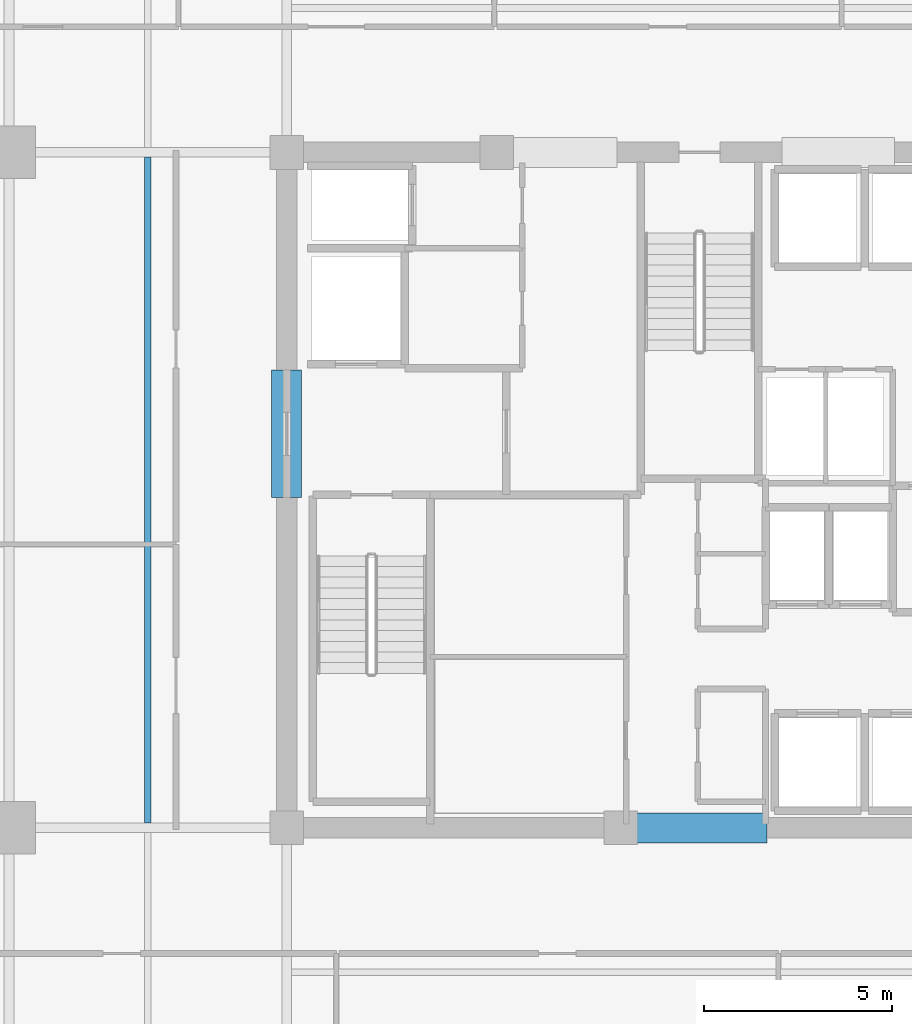
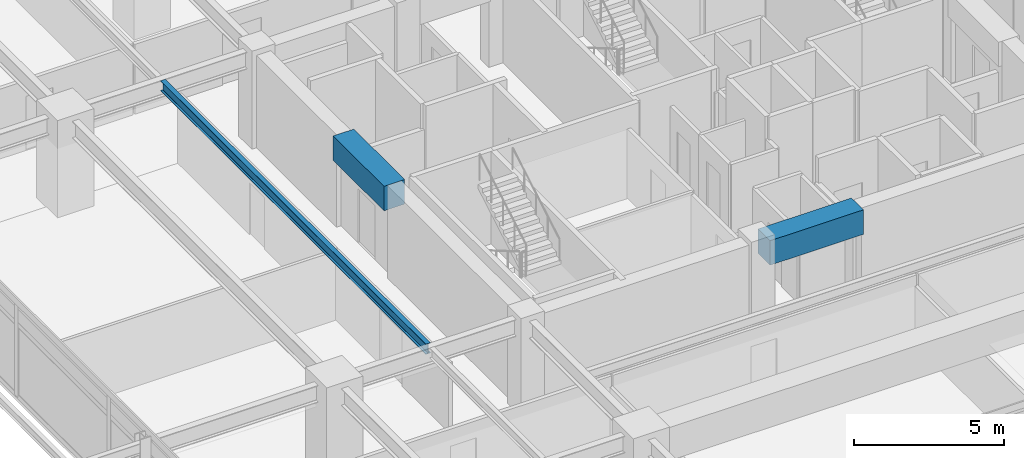
# One storey, part 8 of 21: 3 beams.
"""IFC4 building model written with IfcOpenShell, lengths in metres."""

from ifc_helpers import new_model, si_unit, direction, frame, origin, origin_2d, place, context, subcontext, project, spatial, rectangle, i_section, extrude, material, material_profile, profile_set, type_object, element, save


model = new_model("IFC4")

# Units and contexts
model_context = context("Model", 3, precision=1e-05, world=origin(), true_north=direction((0.0, 1.0)))
body_context = subcontext(model_context, "Body", "Model", "MODEL_VIEW")
ifc_project = project(units=[si_unit("LENGTHUNIT", "METRE"), si_unit("AREAUNIT", "SQUARE_METRE"), si_unit("VOLUMEUNIT", "CUBIC_METRE"), si_unit("PLANEANGLEUNIT", "RADIAN"), si_unit("MASSUNIT", "GRAM", prefix="KILO")], contexts=[model_context])

# Site, building, storey
site_placement = place(None, origin())
site = spatial("IfcSite", under=ifc_project, at=site_placement, CompositionType="ELEMENT")
building_placement = place(site_placement, origin())
building = spatial("IfcBuilding", under=site, at=building_placement, Name="Kovane Verandah Tower", CompositionType="ELEMENT")
storey_placement = place(building_placement, frame((0.0, 0.0, 217.199951171875)))
storey = spatial("IfcBuildingStorey", under=building, at=storey_placement, Name="L50", CompositionType="ELEMENT", Elevation=217.199951171875)

# Beams
ifc_material_1 = material(Name="Concrete C60/75", Category="concrete")
ifc_material_profile_1 = material_profile(ifc_material_1, rectangle(XDim=0.800048828125, YDim=1.0, at=origin_2d()), Name="RCB800x1000")
ifc_profile_set_1 = profile_set([ifc_material_profile_1], Name="Concrete C60/75")
beam_type_1 = type_object("IfcBeamType", Name="BM-LINTEL-800x1000", PredefinedType="LINTEL", material=ifc_profile_set_1)
beam_1_placement = place(storey_placement, frame((38.199951171875, 18.5, 3.275146484375), z_axis=(1.0, 0.0, 0.0), x_axis=(0.0, 1.0, 0.0)))
element("IfcBeam", 1, at=beam_1_placement, inside=storey, type_object=beam_type_1, Name="L50 Core Coupling Lintel CL-S", PredefinedType="LINTEL", context=body_context, shape_type="SweptSolid", body=[
    extrude(rectangle(XDim=0.800048828125, YDim=1.0, at=origin_2d()), origin(), (0.0, 0.0, 1.0), 3.60009765625),
])
beam_2_placement = place(storey_placement, frame((29.0, 27.300048828125, 3.275146484375), z_axis=(0.0, 1.0, 0.0), x_axis=(-1.0, 0.0, 0.0)))
element("IfcBeam", 2, at=beam_2_placement, inside=storey, type_object=beam_type_1, Name="L50 Core Coupling Lintel CL-W", PredefinedType="LINTEL", context=body_context, shape_type="SweptSolid", body=[
    extrude(rectangle(XDim=0.800048828125, YDim=1.0, at=origin_2d()), origin(), (0.0, 0.0, 1.0), 3.39990234375),
])
ifc_material_2 = material(Name="Steel S355", Category="steel")
ifc_material_profile_2 = material_profile(ifc_material_2, i_section(OverallWidth=0.179443359375, OverallDepth=0.412841796875, WebThickness=0.009521484375, FlangeThickness=0.01611328125, FilletRadius=0.01025390625, at=origin_2d()), Name="UB406x178x74")
ifc_profile_set_2 = profile_set([ifc_material_profile_2], Name="Steel S355")
beam_type_2 = type_object("IfcBeamType", Name="JST-UB406x74", PredefinedType="JOIST", material=ifc_profile_set_2)
beam_3_placement = place(storey_placement, frame((25.300048828125, 18.6259765625, 3.568603515625), z_axis=(0.0, 1.0, 0.0), x_axis=(-1.0, 0.0, 0.0)))
element("IfcBeam", 3, at=beam_3_placement, inside=storey, type_object=beam_type_2, Name="L50 Secondary Composite Joist J-W1", PredefinedType="JOIST", context=body_context, shape_type="SweptSolid", body=[
    extrude(i_section(OverallWidth=0.179443359375, OverallDepth=0.412841796875, WebThickness=0.009521484375, FlangeThickness=0.01611328125, FilletRadius=0.01025390625, at=origin_2d()), origin(), (0.0, 0.0, 1.0), 17.748046875),
])

save(model, "model.ifc")
